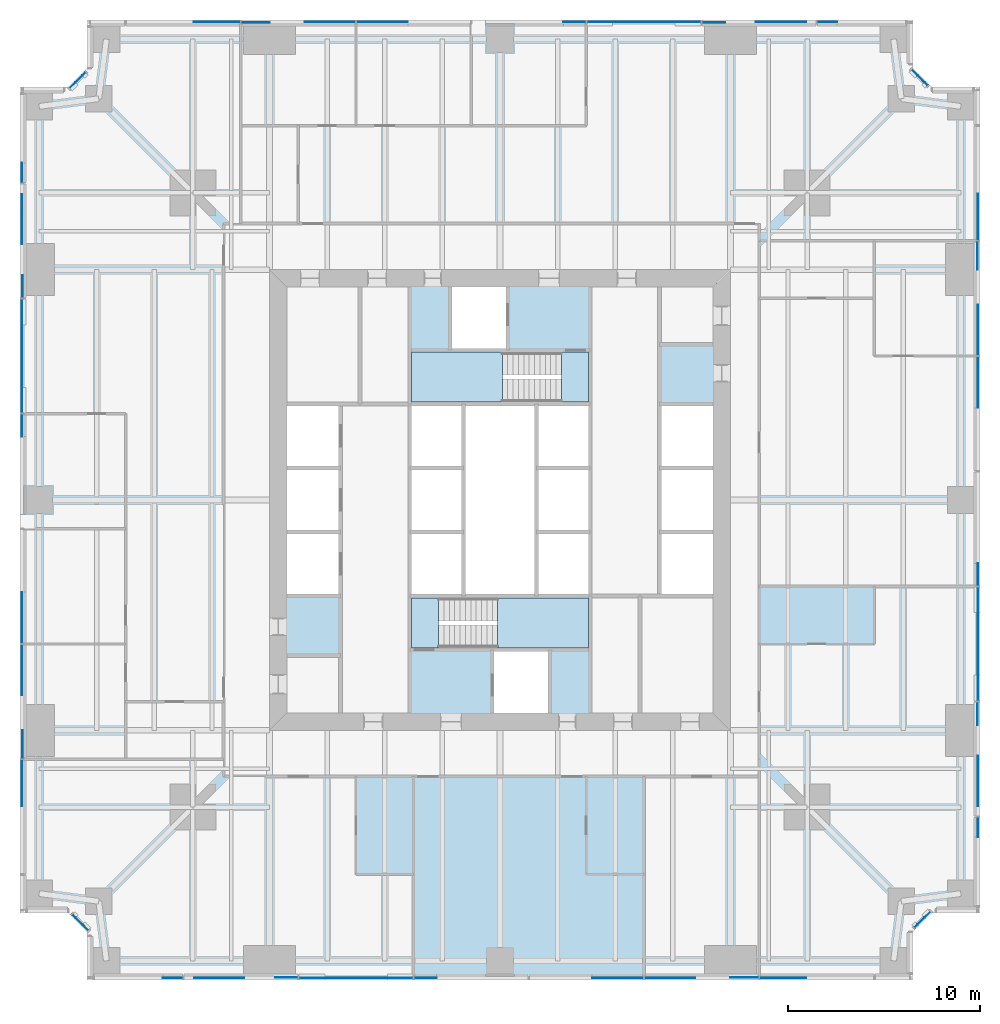
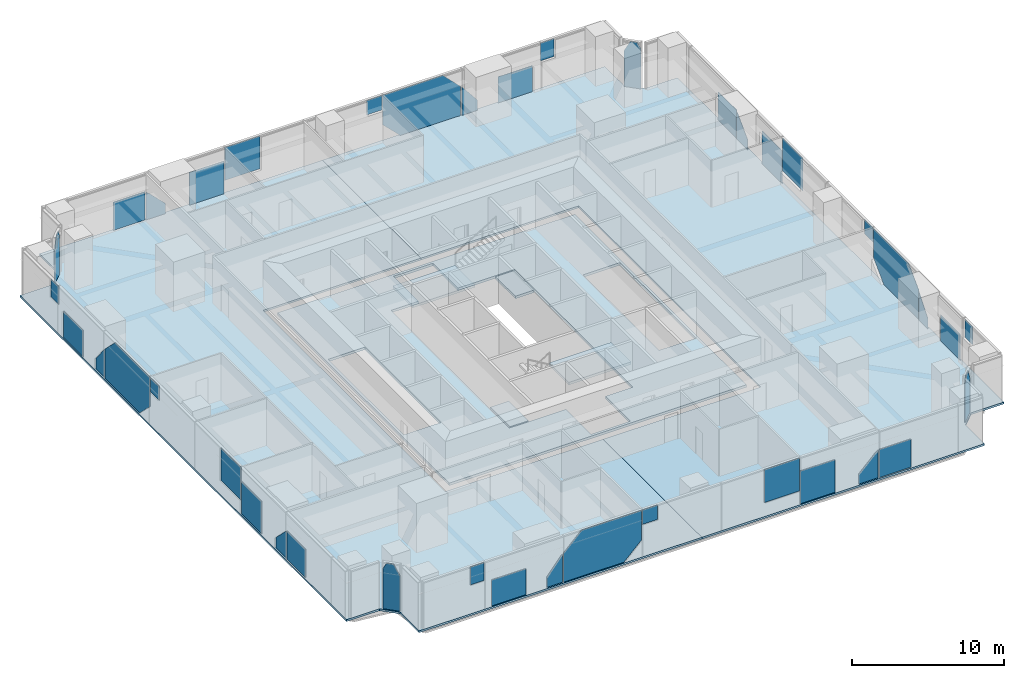
# One storey, part 8 of 14: 40 plates, 7 slabs, 10 elements without a shape of their own.
"""IFC4 building model written with IfcOpenShell, lengths in metres."""

from ifc_helpers import new_model, si_unit, direction, frame, origin, place, context, subcontext, project, spatial, polyline, outline, extrude, material, layer, layer_set, type_object, element, aggregate, save


model = new_model("IFC4")

# Units and contexts
model_context = context("Model", 3, precision=1e-05, world=origin(), true_north=direction((0.0, 1.0)))
body_context = subcontext(model_context, "Body", "Model", "MODEL_VIEW")
ifc_project = project(units=[si_unit("LENGTHUNIT", "METRE"), si_unit("AREAUNIT", "SQUARE_METRE"), si_unit("VOLUMEUNIT", "CUBIC_METRE"), si_unit("PLANEANGLEUNIT", "RADIAN"), si_unit("MASSUNIT", "GRAM", prefix="KILO")], contexts=[model_context])

# Site, building, storey
site_placement = place(None, origin())
site = spatial("IfcSite", under=ifc_project, at=site_placement, CompositionType="ELEMENT")
building_placement = place(site_placement, origin())
building = spatial("IfcBuilding", under=site, at=building_placement, Name="Fenwick Lantern Interchange", CompositionType="ELEMENT")
storey_placement = place(building_placement, frame((0.0, 0.0, 87.0)))
storey = spatial("IfcBuildingStorey", under=building, at=storey_placement, Name="L20", CompositionType="ELEMENT", Elevation=87.0)

# Slabs
ifc_material_1 = material(Name="Concrete f'c 35 MPa", Category="concrete")
ifc_layer_1 = layer(ifc_material_1, 0.199951171875)
ifc_layer_set_1 = layer_set([ifc_layer_1], Name="CORE FLOOR SLAB 200")
slab_type_1 = type_object("IfcSlabType", Name="CORE FLOOR SLAB 200", PredefinedType="FLOOR", material=ifc_layer_set_1)
slab_1_placement = place(storey_placement, frame((0.0, 0.0, -0.199951171875)))
element("IfcSlab", 1, at=slab_1_placement, inside=storey, type_object=slab_type_1, Name="L20/SLAB/CORE", PredefinedType="FLOOR", context=body_context, shape_type="SweptSolid", body=[
    extrude(outline(polyline([(13.699951171875, 36.300048828125), (36.300048828125, 36.300048828125), (36.300048828125, 13.699951171875), (13.699951171875, 13.699951171875), (13.699951171875, 36.300048828125)]), holes=[polyline([(13.89990234375, 20.0), (16.699951171875, 20.0), (16.699951171875, 23.333251953125), (16.699951171875, 26.666748046875), (16.699951171875, 30.0), (13.89990234375, 30.0), (13.89990234375, 26.666748046875), (13.89990234375, 23.333251953125), (13.89990234375, 20.0)]), polyline([(20.300048828125, 20.0), (20.300048828125, 17.199951171875), (24.60009765625, 17.199951171875), (24.60009765625, 13.89990234375), (27.60009765625, 13.89990234375), (27.60009765625, 17.199951171875), (29.699951171875, 17.199951171875), (29.699951171875, 20.0), (29.699951171875, 23.333251953125), (29.699951171875, 26.666748046875), (29.699951171875, 30.0), (29.699951171875, 32.800048828125), (25.39990234375, 32.800048828125), (25.39990234375, 36.10009765625), (22.39990234375, 36.10009765625), (22.39990234375, 32.800048828125), (20.300048828125, 32.800048828125), (20.300048828125, 30.0), (20.300048828125, 26.666748046875), (20.300048828125, 23.333251953125), (20.300048828125, 20.0)]), polyline([(33.300048828125, 23.333251953125), (33.300048828125, 20.0), (36.10009765625, 20.0), (36.10009765625, 23.333251953125), (36.10009765625, 26.666748046875), (36.10009765625, 30.0), (33.300048828125, 30.0), (33.300048828125, 26.666748046875), (33.300048828125, 23.333251953125)])]), origin(), (0.0, 0.0, 1.0), 0.199951171875),
])
ifc_material_2 = material(Name="Concrete f'c 35 MPa", Category="concrete")
ifc_layer_2 = layer(ifc_material_2, 0.14990234375)
ifc_layer_set_2 = layer_set([ifc_layer_2], Name="Concrete f'c 35 MPa")
slab_type_2 = type_object("IfcSlabType", Name="FLOOR SLAB 150", PredefinedType="FLOOR", material=ifc_layer_set_2)
slab_2_placement = place(storey_placement, frame((0.0, 0.0, -0.14990234375)))
element("IfcSlab", 2, at=slab_2_placement, inside=storey, type_object=slab_type_2, Name="L20/SLAB/FW", PredefinedType="FLOOR", context=body_context, shape_type="SweptSolid", body=[
    extrude(outline(polyline([(3.5, 0.0), (3.5, 2.5), (2.5, 3.5), (0.0, 3.5), (0.0, 46.5), (2.5, 46.5), (3.5, 47.5), (3.5, 50.0), (25.0, 50.0), (25.0, 37.0), (13.0, 37.0), (13.0, 13.0), (25.0, 13.0), (25.0, 0.0), (3.5, 0.0)])), origin(), (0.0, 0.0, 1.0), 0.14990234375),
])
slab_3_placement = place(storey_placement, frame((0.0, 0.0, -0.14990234375)))
element("IfcSlab", 3, at=slab_3_placement, inside=storey, type_object=slab_type_2, Name="L20/SLAB/FE", PredefinedType="FLOOR", context=body_context, shape_type="SweptSolid", body=[
    extrude(outline(polyline([(46.5, 50.0), (46.5, 47.5), (47.5, 46.5), (50.0, 46.5), (50.0, 3.5), (47.5, 3.5), (46.5, 2.5), (46.5, 0.0), (25.0, 0.0), (25.0, 13.0), (37.0, 13.0), (37.0, 37.0), (25.0, 37.0), (25.0, 50.0), (46.5, 50.0)])), origin(), (0.0, 0.0, 1.0), 0.14990234375),
])

# Curtain wall, plates
ifc_material_3 = material(Name="Aluminium curtain wall frame", Category="aluminium")
curtain_wall_type = type_object("IfcCurtainWallType", Name="OFFICE CURTAIN WALL", PredefinedType="USERDEFINED", material=ifc_material_3)
curtain_wall_1_placement = place(storey_placement, origin())
curtain_wall_1 = element("IfcCurtainWall", 4, at=curtain_wall_1_placement, inside=storey, type_object=curtain_wall_type, Name="Office curtain wall 01", ObjectType="OFFICE CURTAIN WALL", PredefinedType="USERDEFINED")
ifc_material_4 = material(Name="Vision glass, clear low-iron double glazed", Category="glass")
ifc_layer_3 = layer(ifc_material_4, 0.031982421875)
ifc_layer_set_3 = layer_set([ifc_layer_3], Name="OFFICE CURTAIN WALL PANEL 32")
plate_type = type_object("IfcPlateType", Name="OFFICE CURTAIN WALL PANEL 32", PredefinedType="CURTAIN_PANEL", material=ifc_layer_set_3)
plate_1_placement = place(storey_placement, frame((3.60009765625, 0.10009765625, 2.259765625), z_axis=(0.0, 0.0, 1.0), x_axis=(1.0, 0.0, 0.0)))
plate_1 = element("IfcPlate", 5, at=plate_1_placement, type_object=plate_type, Name="L20/CW/01/P00a", PredefinedType="CURTAIN_PANEL", context=body_context, shape_type="SweptSolid", body=[
    extrude(outline(polyline([(3.841796875, 0.0), (4.867431640625, 0.0), (4.867431640625, 1.440185546875), (3.841796875, 1.440185546875), (3.841796875, 0.0)])), frame((0.0, 0.01611328125, 0.0), z_axis=(0.0, -1.0, 0.0), x_axis=(1.0, 0.0, 0.0)), (0.0, 0.0, 1.0), 0.031982421875),
])
plate_2_placement = place(storey_placement, frame((3.60009765625, 0.10009765625, 0.0), z_axis=(0.0, 0.0, 1.0), x_axis=(1.0, 0.0, 0.0)))
plate_2 = element("IfcPlate", 6, at=plate_2_placement, type_object=plate_type, Name="L20/CW/01/P01a", PredefinedType="CURTAIN_PANEL", context=body_context, shape_type="SweptSolid", body=[
    extrude(outline(polyline([(5.46240234375, 0.0), (8.08251953125, 0.0), (8.08251953125, 2.098876953125), (5.46240234375, 2.098876953125), (5.46240234375, 0.0)])), frame((0.0, 0.01611328125, 0.0), z_axis=(0.0, -1.0, 0.0), x_axis=(1.0, 0.0, 0.0)), (0.0, 0.0, 1.0), 0.031982421875),
])
plate_3_placement = place(storey_placement, frame((3.60009765625, 0.10009765625, 0.0), z_axis=(0.0, 0.0, 1.0), x_axis=(1.0, 0.0, 0.0)))
plate_3 = element("IfcPlate", 7, at=plate_3_placement, type_object=plate_type, Name="L20/CW/01/P01b", PredefinedType="CURTAIN_PANEL", context=body_context, shape_type="SweptSolid", body=[
    extrude(outline(polyline([(9.68115234375, 0.0), (10.867431640625, 0.0), (10.867431640625, 2.27197265625), (10.7431640625, 2.147705078125), (9.68115234375, 0.820068359375), (9.68115234375, 0.0)])), frame((0.0, 0.0498046875, 0.0), z_axis=(0.0, -1.0, 0.0), x_axis=(1.0, 0.0, 0.0)), (0.0, 0.0, 1.0), 0.031982421875),
])
plate_4_placement = place(storey_placement, frame((3.60009765625, 0.10009765625, 0.0), z_axis=(0.0, 0.0, 1.0), x_axis=(1.0, 0.0, 0.0)))
plate_4 = element("IfcPlate", 8, at=plate_4_placement, type_object=plate_type, Name="L20/CW/01/P02a", PredefinedType="CURTAIN_PANEL", context=body_context, shape_type="SweptSolid", body=[
    extrude(outline(polyline([(10.9326171875, 0.0), (15.53125, 0.0), (16.867431640625, 1.3232421875), (16.867431640625, 3.699951171875), (12.295654296875, 3.699951171875), (10.9326171875, 2.3369140625), (10.9326171875, 0.0)])), frame((0.0, 0.01611328125, 0.0), z_axis=(0.0, -1.0, 0.0), x_axis=(1.0, 0.0, 0.0)), (0.0, 0.0, 1.0), 0.031982421875),
])
plate_5_placement = place(storey_placement, frame((3.60009765625, 0.10009765625, 2.54150390625), z_axis=(0.0, 0.0, 1.0), x_axis=(1.0, 0.0, 0.0)))
plate_5 = element("IfcPlate", 9, at=plate_5_placement, type_object=plate_type, Name="L20/CW/01/P03a", PredefinedType="CURTAIN_PANEL", context=body_context, shape_type="SweptSolid", body=[
    extrude(outline(polyline([(16.9326171875, 0.0), (18.097412109375, 0.0), (18.097412109375, 1.158447265625), (16.9326171875, 1.158447265625), (16.9326171875, 0.0)])), frame((0.0, 0.01611328125, 0.0), z_axis=(0.0, -1.0, 0.0), x_axis=(1.0, 0.0, 0.0)), (0.0, 0.0, 1.0), 0.031982421875),
])
plate_6_placement = place(storey_placement, frame((3.60009765625, 0.10009765625, 1.057373046875), z_axis=(0.0, 0.0, 1.0), x_axis=(1.0, 0.0, 0.0)))
plate_6 = element("IfcPlate", 10, at=plate_6_placement, type_object=plate_type, Name="L20/CW/01/P04a", PredefinedType="CURTAIN_PANEL", context=body_context, shape_type="SweptSolid", body=[
    extrude(outline(polyline([(26.201171875, 0.0), (28.867431640625, 0.0), (28.867431640625, 2.642578125), (26.201171875, 2.642578125), (26.201171875, 0.0)])), frame((0.0, 0.01611328125, 0.0), z_axis=(0.0, -1.0, 0.0), x_axis=(1.0, 0.0, 0.0)), (0.0, 0.0, 1.0), 0.031982421875),
])
plate_7_placement = place(storey_placement, frame((3.60009765625, 0.10009765625, 0.0), z_axis=(0.0, 0.0, 1.0), x_axis=(1.0, 0.0, 0.0)))
plate_7 = element("IfcPlate", 11, at=plate_7_placement, type_object=plate_type, Name="L20/CW/01/P05a", PredefinedType="CURTAIN_PANEL", context=body_context, shape_type="SweptSolid", body=[
    extrude(outline(polyline([(28.9326171875, 0.0), (31.5673828125, 0.0), (31.5673828125, 2.636962890625), (28.9326171875, 2.636962890625), (28.9326171875, 0.0)])), frame((0.0, 0.01611328125, 0.0), z_axis=(0.0, -1.0, 0.0), x_axis=(1.0, 0.0, 0.0)), (0.0, 0.0, 1.0), 0.031982421875),
])
plate_8_placement = place(storey_placement, frame((3.60009765625, 0.10009765625, 0.0), z_axis=(0.0, 0.0, 1.0), x_axis=(1.0, 0.0, 0.0)))
plate_8 = element("IfcPlate", 12, at=plate_8_placement, type_object=plate_type, Name="L20/CW/01/P05b", PredefinedType="CURTAIN_PANEL", context=body_context, shape_type="SweptSolid", body=[
    extrude(outline(polyline([(33.39990234375, 0.0), (34.867431640625, 0.0), (34.867431640625, 2.218994140625), (34.602294921875, 2.0068359375), (33.39990234375, 0.804443359375), (33.39990234375, 0.0)])), frame((0.0, 0.0498046875, 0.0), z_axis=(0.0, -1.0, 0.0), x_axis=(1.0, 0.0, 0.0)), (0.0, 0.0, 1.0), 0.031982421875),
])
plate_9_placement = place(storey_placement, frame((3.60009765625, 0.10009765625, 0.000732421875), z_axis=(0.0, 0.0, 1.0), x_axis=(1.0, 0.0, 0.0)))
plate_9 = element("IfcPlate", 13, at=plate_9_placement, type_object=plate_type, Name="L20/CW/01/P06a", PredefinedType="CURTAIN_PANEL", context=body_context, shape_type="SweptSolid", body=[
    extrude(outline(polyline([(34.9326171875, 0.0), (37.342529296875, 0.0), (37.342529296875, 2.270263671875), (34.9326171875, 2.270263671875), (34.9326171875, 0.0)])), frame((0.0, 0.01611328125, 0.0), z_axis=(0.0, -1.0, 0.0), x_axis=(1.0, 0.0, 0.0)), (0.0, 0.0, 1.0), 0.031982421875),
])
aggregate(curtain_wall_1, [plate_1, plate_2, plate_3, plate_4, plate_5, plate_6, plate_7, plate_8, plate_9])

# Curtain wall, plate
curtain_wall_2_placement = place(storey_placement, origin())
curtain_wall_2 = element("IfcCurtainWall", 14, at=curtain_wall_2_placement, inside=storey, type_object=curtain_wall_type, Name="Office curtain wall 03", ObjectType="OFFICE CURTAIN WALL", PredefinedType="USERDEFINED")
plate_10_placement = place(storey_placement, frame((46.39990234375, 2.54150390625, 0.0), z_axis=(0.0, 0.0, 1.0), x_axis=(0.707106781187, 0.707106781187, 0.0)))
plate_10 = element("IfcPlate", 15, at=plate_10_placement, type_object=plate_type, Name="L20/CW/03/P00a", PredefinedType="CURTAIN_PANEL", context=body_context, shape_type="SweptSolid", body=[
    extrude(outline(polyline([(0.264892578125, 0.0), (1.43212890625, 0.0), (1.43212890625, 2.83251953125), (0.993408203125, 3.699951171875), (0.503662109375, 3.699951171875), (0.264892578125, 3.22802734375), (0.264892578125, 0.0)])), frame((0.0, 0.01611328125, 0.0), z_axis=(0.0, -1.0, 0.0), x_axis=(1.0, 0.0, 0.0)), (0.0, 0.0, 1.0), 0.031982421875),
])
aggregate(curtain_wall_2, [plate_10])

# Curtain wall, plates
curtain_wall_3_placement = place(storey_placement, origin())
curtain_wall_3 = element("IfcCurtainWall", 16, at=curtain_wall_3_placement, inside=storey, type_object=curtain_wall_type, Name="Office curtain wall 05", ObjectType="OFFICE CURTAIN WALL", PredefinedType="USERDEFINED")
plate_11_placement = place(storey_placement, frame((49.89990234375, 3.60009765625, 2.259765625), z_axis=(0.0, 0.0, 1.0), x_axis=(0.0, 1.0, 0.0)))
plate_11 = element("IfcPlate", 17, at=plate_11_placement, type_object=plate_type, Name="L20/CW/05/P00a", PredefinedType="CURTAIN_PANEL", context=body_context, shape_type="SweptSolid", body=[
    extrude(outline(polyline([(3.841796875, 0.0), (4.867431640625, 0.0), (4.867431640625, 1.440185546875), (3.841796875, 1.440185546875), (3.841796875, 0.0)])), frame((0.0, 0.01611328125, 0.0), z_axis=(0.0, -1.0, 0.0), x_axis=(1.0, 0.0, 0.0)), (0.0, 0.0, 1.0), 0.031982421875),
])
plate_12_placement = place(storey_placement, frame((49.89990234375, 3.60009765625, 0.0), z_axis=(0.0, 0.0, 1.0), x_axis=(0.0, 1.0, 0.0)))
plate_12 = element("IfcPlate", 18, at=plate_12_placement, type_object=plate_type, Name="L20/CW/05/P01a", PredefinedType="CURTAIN_PANEL", context=body_context, shape_type="SweptSolid", body=[
    extrude(outline(polyline([(5.46240234375, 0.0), (8.08251953125, 0.0), (8.08251953125, 2.098876953125), (5.46240234375, 2.098876953125), (5.46240234375, 0.0)])), frame((0.0, 0.01611328125, 0.0), z_axis=(0.0, -1.0, 0.0), x_axis=(1.0, 0.0, 0.0)), (0.0, 0.0, 1.0), 0.031982421875),
])
plate_13_placement = place(storey_placement, frame((49.89990234375, 3.60009765625, 0.0), z_axis=(0.0, 0.0, 1.0), x_axis=(0.0, 1.0, 0.0)))
plate_13 = element("IfcPlate", 19, at=plate_13_placement, type_object=plate_type, Name="L20/CW/05/P01b", PredefinedType="CURTAIN_PANEL", context=body_context, shape_type="SweptSolid", body=[
    extrude(outline(polyline([(9.68115234375, 0.0), (10.867431640625, 0.0), (10.867431640625, 2.27197265625), (10.7431640625, 2.147705078125), (9.68115234375, 0.820068359375), (9.68115234375, 0.0)])), frame((0.0, 0.0498046875, 0.0), z_axis=(0.0, -1.0, 0.0), x_axis=(1.0, 0.0, 0.0)), (0.0, 0.0, 1.0), 0.031982421875),
])
plate_14_placement = place(storey_placement, frame((49.89990234375, 3.60009765625, 0.0), z_axis=(0.0, 0.0, 1.0), x_axis=(0.0, 1.0, 0.0)))
plate_14 = element("IfcPlate", 20, at=plate_14_placement, type_object=plate_type, Name="L20/CW/05/P02a", PredefinedType="CURTAIN_PANEL", context=body_context, shape_type="SweptSolid", body=[
    extrude(outline(polyline([(10.9326171875, 0.0), (15.53125, 0.0), (16.867431640625, 1.3232421875), (16.867431640625, 3.699951171875), (12.295654296875, 3.699951171875), (10.9326171875, 2.3369140625), (10.9326171875, 0.0)])), frame((0.0, 0.01611328125, 0.0), z_axis=(0.0, -1.0, 0.0), x_axis=(1.0, 0.0, 0.0)), (0.0, 0.0, 1.0), 0.031982421875),
])
plate_15_placement = place(storey_placement, frame((49.89990234375, 3.60009765625, 2.54150390625), z_axis=(0.0, 0.0, 1.0), x_axis=(0.0, 1.0, 0.0)))
plate_15 = element("IfcPlate", 21, at=plate_15_placement, type_object=plate_type, Name="L20/CW/05/P03a", PredefinedType="CURTAIN_PANEL", context=body_context, shape_type="SweptSolid", body=[
    extrude(outline(polyline([(16.9326171875, 0.0), (18.097412109375, 0.0), (18.097412109375, 1.158447265625), (16.9326171875, 1.158447265625), (16.9326171875, 0.0)])), frame((0.0, 0.01611328125, 0.0), z_axis=(0.0, -1.0, 0.0), x_axis=(1.0, 0.0, 0.0)), (0.0, 0.0, 1.0), 0.031982421875),
])
plate_16_placement = place(storey_placement, frame((49.89990234375, 3.60009765625, 1.057373046875), z_axis=(0.0, 0.0, 1.0), x_axis=(0.0, 1.0, 0.0)))
plate_16 = element("IfcPlate", 22, at=plate_16_placement, type_object=plate_type, Name="L20/CW/05/P04a", PredefinedType="CURTAIN_PANEL", context=body_context, shape_type="SweptSolid", body=[
    extrude(outline(polyline([(26.201171875, 0.0), (28.867431640625, 0.0), (28.867431640625, 2.642578125), (26.201171875, 2.642578125), (26.201171875, 0.0)])), frame((0.0, 0.01611328125, 0.0), z_axis=(0.0, -1.0, 0.0), x_axis=(1.0, 0.0, 0.0)), (0.0, 0.0, 1.0), 0.031982421875),
])
plate_17_placement = place(storey_placement, frame((49.89990234375, 3.60009765625, 0.0), z_axis=(0.0, 0.0, 1.0), x_axis=(0.0, 1.0, 0.0)))
plate_17 = element("IfcPlate", 23, at=plate_17_placement, type_object=plate_type, Name="L20/CW/05/P05a", PredefinedType="CURTAIN_PANEL", context=body_context, shape_type="SweptSolid", body=[
    extrude(outline(polyline([(28.9326171875, 0.0), (31.5673828125, 0.0), (31.5673828125, 2.636962890625), (28.9326171875, 2.636962890625), (28.9326171875, 0.0)])), frame((0.0, 0.01611328125, 0.0), z_axis=(0.0, -1.0, 0.0), x_axis=(1.0, 0.0, 0.0)), (0.0, 0.0, 1.0), 0.031982421875),
])
plate_18_placement = place(storey_placement, frame((49.89990234375, 3.60009765625, 0.0), z_axis=(0.0, 0.0, 1.0), x_axis=(0.0, 1.0, 0.0)))
plate_18 = element("IfcPlate", 24, at=plate_18_placement, type_object=plate_type, Name="L20/CW/05/P05b", PredefinedType="CURTAIN_PANEL", context=body_context, shape_type="SweptSolid", body=[
    extrude(outline(polyline([(33.39990234375, 0.0), (34.867431640625, 0.0), (34.867431640625, 2.218994140625), (34.602294921875, 2.0068359375), (33.39990234375, 0.804443359375), (33.39990234375, 0.0)])), frame((0.0, 0.0498046875, 0.0), z_axis=(0.0, -1.0, 0.0), x_axis=(1.0, 0.0, 0.0)), (0.0, 0.0, 1.0), 0.031982421875),
])
plate_19_placement = place(storey_placement, frame((49.89990234375, 3.60009765625, 0.000732421875), z_axis=(0.0, 0.0, 1.0), x_axis=(0.0, 1.0, 0.0)))
plate_19 = element("IfcPlate", 25, at=plate_19_placement, type_object=plate_type, Name="L20/CW/05/P06a", PredefinedType="CURTAIN_PANEL", context=body_context, shape_type="SweptSolid", body=[
    extrude(outline(polyline([(34.9326171875, 0.0), (37.342529296875, 0.0), (37.342529296875, 2.270263671875), (34.9326171875, 2.270263671875), (34.9326171875, 0.0)])), frame((0.0, 0.01611328125, 0.0), z_axis=(0.0, -1.0, 0.0), x_axis=(1.0, 0.0, 0.0)), (0.0, 0.0, 1.0), 0.031982421875),
])
aggregate(curtain_wall_3, [plate_11, plate_12, plate_13, plate_14, plate_15, plate_16, plate_17, plate_18, plate_19])

# Curtain wall, plate
curtain_wall_4_placement = place(storey_placement, origin())
curtain_wall_4 = element("IfcCurtainWall", 26, at=curtain_wall_4_placement, inside=storey, type_object=curtain_wall_type, Name="Office curtain wall 07", ObjectType="OFFICE CURTAIN WALL", PredefinedType="USERDEFINED")
plate_20_placement = place(storey_placement, frame((47.45849609375, 46.39990234375, 0.0), z_axis=(0.0, 0.0, 1.0), x_axis=(-0.707106781187, 0.707106781187, 0.0)))
plate_20 = element("IfcPlate", 27, at=plate_20_placement, type_object=plate_type, Name="L20/CW/07/P00a", PredefinedType="CURTAIN_PANEL", context=body_context, shape_type="SweptSolid", body=[
    extrude(outline(polyline([(0.264892578125, 0.0), (1.43212890625, 0.0), (1.43212890625, 2.83251953125), (0.993408203125, 3.699951171875), (0.503662109375, 3.699951171875), (0.264892578125, 3.22802734375), (0.264892578125, 0.0)])), frame((0.0, 0.01611328125, 0.0), z_axis=(0.0, -1.0, 0.0), x_axis=(1.0, 0.0, 0.0)), (0.0, 0.0, 1.0), 0.031982421875),
])
aggregate(curtain_wall_4, [plate_20])

# Curtain wall, plates
curtain_wall_5_placement = place(storey_placement, origin())
curtain_wall_5 = element("IfcCurtainWall", 28, at=curtain_wall_5_placement, inside=storey, type_object=curtain_wall_type, Name="Office curtain wall 09", ObjectType="OFFICE CURTAIN WALL", PredefinedType="USERDEFINED")
plate_21_placement = place(storey_placement, frame((46.39990234375, 49.89990234375, 2.259765625), z_axis=(0.0, 0.0, 1.0), x_axis=(-1.0, 0.0, 0.0)))
plate_21 = element("IfcPlate", 29, at=plate_21_placement, type_object=plate_type, Name="L20/CW/09/P00a", PredefinedType="CURTAIN_PANEL", context=body_context, shape_type="SweptSolid", body=[
    extrude(outline(polyline([(3.841796875, 0.0), (4.867431640625, 0.0), (4.867431640625, 1.440185546875), (3.841796875, 1.440185546875), (3.841796875, 0.0)])), frame((0.0, 0.01611328125, 0.0), z_axis=(0.0, -1.0, 0.0), x_axis=(1.0, 0.0, 0.0)), (0.0, 0.0, 1.0), 0.031982421875),
])
plate_22_placement = place(storey_placement, frame((46.39990234375, 49.89990234375, 0.0), z_axis=(0.0, 0.0, 1.0), x_axis=(-1.0, 0.0, 0.0)))
plate_22 = element("IfcPlate", 30, at=plate_22_placement, type_object=plate_type, Name="L20/CW/09/P01a", PredefinedType="CURTAIN_PANEL", context=body_context, shape_type="SweptSolid", body=[
    extrude(outline(polyline([(5.46240234375, 0.0), (8.08251953125, 0.0), (8.08251953125, 2.098876953125), (5.46240234375, 2.098876953125), (5.46240234375, 0.0)])), frame((0.0, 0.01611328125, 0.0), z_axis=(0.0, -1.0, 0.0), x_axis=(1.0, 0.0, 0.0)), (0.0, 0.0, 1.0), 0.031982421875),
])
plate_23_placement = place(storey_placement, frame((46.39990234375, 49.89990234375, 0.0), z_axis=(0.0, 0.0, 1.0), x_axis=(-1.0, 0.0, 0.0)))
plate_23 = element("IfcPlate", 31, at=plate_23_placement, type_object=plate_type, Name="L20/CW/09/P01b", PredefinedType="CURTAIN_PANEL", context=body_context, shape_type="SweptSolid", body=[
    extrude(outline(polyline([(9.68115234375, 0.0), (10.867431640625, 0.0), (10.867431640625, 2.27197265625), (10.7431640625, 2.147705078125), (9.68115234375, 0.820068359375), (9.68115234375, 0.0)])), frame((0.0, 0.0498046875, 0.0), z_axis=(0.0, -1.0, 0.0), x_axis=(1.0, 0.0, 0.0)), (0.0, 0.0, 1.0), 0.031982421875),
])
plate_24_placement = place(storey_placement, frame((46.39990234375, 49.89990234375, 0.0), z_axis=(0.0, 0.0, 1.0), x_axis=(-1.0, 0.0, 0.0)))
plate_24 = element("IfcPlate", 32, at=plate_24_placement, type_object=plate_type, Name="L20/CW/09/P02a", PredefinedType="CURTAIN_PANEL", context=body_context, shape_type="SweptSolid", body=[
    extrude(outline(polyline([(10.9326171875, 0.0), (15.53125, 0.0), (16.867431640625, 1.3232421875), (16.867431640625, 3.699951171875), (12.295654296875, 3.699951171875), (10.9326171875, 2.3369140625), (10.9326171875, 0.0)])), frame((0.0, 0.01611328125, 0.0), z_axis=(0.0, -1.0, 0.0), x_axis=(1.0, 0.0, 0.0)), (0.0, 0.0, 1.0), 0.031982421875),
])
plate_25_placement = place(storey_placement, frame((46.39990234375, 49.89990234375, 2.54150390625), z_axis=(0.0, 0.0, 1.0), x_axis=(-1.0, 0.0, 0.0)))
plate_25 = element("IfcPlate", 33, at=plate_25_placement, type_object=plate_type, Name="L20/CW/09/P03a", PredefinedType="CURTAIN_PANEL", context=body_context, shape_type="SweptSolid", body=[
    extrude(outline(polyline([(16.9326171875, 0.0), (18.097412109375, 0.0), (18.097412109375, 1.158447265625), (16.9326171875, 1.158447265625), (16.9326171875, 0.0)])), frame((0.0, 0.01611328125, 0.0), z_axis=(0.0, -1.0, 0.0), x_axis=(1.0, 0.0, 0.0)), (0.0, 0.0, 1.0), 0.031982421875),
])
plate_26_placement = place(storey_placement, frame((46.39990234375, 49.89990234375, 1.057373046875), z_axis=(0.0, 0.0, 1.0), x_axis=(-1.0, 0.0, 0.0)))
plate_26 = element("IfcPlate", 34, at=plate_26_placement, type_object=plate_type, Name="L20/CW/09/P04a", PredefinedType="CURTAIN_PANEL", context=body_context, shape_type="SweptSolid", body=[
    extrude(outline(polyline([(26.201171875, 0.0), (28.867431640625, 0.0), (28.867431640625, 2.642578125), (26.201171875, 2.642578125), (26.201171875, 0.0)])), frame((0.0, 0.01611328125, 0.0), z_axis=(0.0, -1.0, 0.0), x_axis=(1.0, 0.0, 0.0)), (0.0, 0.0, 1.0), 0.031982421875),
])
plate_27_placement = place(storey_placement, frame((46.39990234375, 49.89990234375, 0.0), z_axis=(0.0, 0.0, 1.0), x_axis=(-1.0, 0.0, 0.0)))
plate_27 = element("IfcPlate", 35, at=plate_27_placement, type_object=plate_type, Name="L20/CW/09/P05a", PredefinedType="CURTAIN_PANEL", context=body_context, shape_type="SweptSolid", body=[
    extrude(outline(polyline([(28.9326171875, 0.0), (31.5673828125, 0.0), (31.5673828125, 2.636962890625), (28.9326171875, 2.636962890625), (28.9326171875, 0.0)])), frame((0.0, 0.01611328125, 0.0), z_axis=(0.0, -1.0, 0.0), x_axis=(1.0, 0.0, 0.0)), (0.0, 0.0, 1.0), 0.031982421875),
])
plate_28_placement = place(storey_placement, frame((46.39990234375, 49.89990234375, 0.0), z_axis=(0.0, 0.0, 1.0), x_axis=(-1.0, 0.0, 0.0)))
plate_28 = element("IfcPlate", 36, at=plate_28_placement, type_object=plate_type, Name="L20/CW/09/P05b", PredefinedType="CURTAIN_PANEL", context=body_context, shape_type="SweptSolid", body=[
    extrude(outline(polyline([(33.39990234375, 0.0), (34.867431640625, 0.0), (34.867431640625, 2.218994140625), (34.602294921875, 2.0068359375), (33.39990234375, 0.804443359375), (33.39990234375, 0.0)])), frame((0.0, 0.0498046875, 0.0), z_axis=(0.0, -1.0, 0.0), x_axis=(1.0, 0.0, 0.0)), (0.0, 0.0, 1.0), 0.031982421875),
])
plate_29_placement = place(storey_placement, frame((46.39990234375, 49.89990234375, 0.000732421875), z_axis=(0.0, 0.0, 1.0), x_axis=(-1.0, 0.0, 0.0)))
plate_29 = element("IfcPlate", 37, at=plate_29_placement, type_object=plate_type, Name="L20/CW/09/P06a", PredefinedType="CURTAIN_PANEL", context=body_context, shape_type="SweptSolid", body=[
    extrude(outline(polyline([(34.9326171875, 0.0), (37.342529296875, 0.0), (37.342529296875, 2.270263671875), (34.9326171875, 2.270263671875), (34.9326171875, 0.0)])), frame((0.0, 0.01611328125, 0.0), z_axis=(0.0, -1.0, 0.0), x_axis=(1.0, 0.0, 0.0)), (0.0, 0.0, 1.0), 0.031982421875),
])
aggregate(curtain_wall_5, [plate_21, plate_22, plate_23, plate_24, plate_25, plate_26, plate_27, plate_28, plate_29])

# Curtain wall, plate
curtain_wall_6_placement = place(storey_placement, origin())
curtain_wall_6 = element("IfcCurtainWall", 38, at=curtain_wall_6_placement, inside=storey, type_object=curtain_wall_type, Name="Office curtain wall 11", ObjectType="OFFICE CURTAIN WALL", PredefinedType="USERDEFINED")
plate_30_placement = place(storey_placement, frame((3.60009765625, 47.45849609375, 0.0), z_axis=(0.0, 0.0, 1.0), x_axis=(-0.707106781187, -0.707106781187, 0.0)))
plate_30 = element("IfcPlate", 39, at=plate_30_placement, type_object=plate_type, Name="L20/CW/11/P00a", PredefinedType="CURTAIN_PANEL", context=body_context, shape_type="SweptSolid", body=[
    extrude(outline(polyline([(0.264892578125, 0.0), (1.43212890625, 0.0), (1.43212890625, 2.83251953125), (0.993408203125, 3.699951171875), (0.503662109375, 3.699951171875), (0.264892578125, 3.22802734375), (0.264892578125, 0.0)])), frame((0.0, 0.01611328125, 0.0), z_axis=(0.0, -1.0, 0.0), x_axis=(1.0, 0.0, 0.0)), (0.0, 0.0, 1.0), 0.031982421875),
])
aggregate(curtain_wall_6, [plate_30])

# Curtain wall, plates
curtain_wall_7_placement = place(storey_placement, origin())
curtain_wall_7 = element("IfcCurtainWall", 40, at=curtain_wall_7_placement, inside=storey, type_object=curtain_wall_type, Name="Office curtain wall 13", ObjectType="OFFICE CURTAIN WALL", PredefinedType="USERDEFINED")
plate_31_placement = place(storey_placement, frame((0.10009765625, 46.39990234375, 2.259765625), z_axis=(0.0, 0.0, 1.0), x_axis=(0.0, -1.0, 0.0)))
plate_31 = element("IfcPlate", 41, at=plate_31_placement, type_object=plate_type, Name="L20/CW/13/P00a", PredefinedType="CURTAIN_PANEL", context=body_context, shape_type="SweptSolid", body=[
    extrude(outline(polyline([(3.841796875, 0.0), (4.867431640625, 0.0), (4.867431640625, 1.440185546875), (3.841796875, 1.440185546875), (3.841796875, 0.0)])), frame((0.0, 0.01611328125, 0.0), z_axis=(0.0, -1.0, 0.0), x_axis=(1.0, 0.0, 0.0)), (0.0, 0.0, 1.0), 0.031982421875),
])
plate_32_placement = place(storey_placement, frame((0.10009765625, 46.39990234375, 0.0), z_axis=(0.0, 0.0, 1.0), x_axis=(0.0, -1.0, 0.0)))
plate_32 = element("IfcPlate", 42, at=plate_32_placement, type_object=plate_type, Name="L20/CW/13/P01a", PredefinedType="CURTAIN_PANEL", context=body_context, shape_type="SweptSolid", body=[
    extrude(outline(polyline([(5.46240234375, 0.0), (8.08251953125, 0.0), (8.08251953125, 2.098876953125), (5.46240234375, 2.098876953125), (5.46240234375, 0.0)])), frame((0.0, 0.01611328125, 0.0), z_axis=(0.0, -1.0, 0.0), x_axis=(1.0, 0.0, 0.0)), (0.0, 0.0, 1.0), 0.031982421875),
])
plate_33_placement = place(storey_placement, frame((0.10009765625, 46.39990234375, 0.0), z_axis=(0.0, 0.0, 1.0), x_axis=(0.0, -1.0, 0.0)))
plate_33 = element("IfcPlate", 43, at=plate_33_placement, type_object=plate_type, Name="L20/CW/13/P01b", PredefinedType="CURTAIN_PANEL", context=body_context, shape_type="SweptSolid", body=[
    extrude(outline(polyline([(9.68115234375, 0.0), (10.867431640625, 0.0), (10.867431640625, 2.27197265625), (10.7431640625, 2.147705078125), (9.68115234375, 0.820068359375), (9.68115234375, 0.0)])), frame((0.0, 0.0498046875, 0.0), z_axis=(0.0, -1.0, 0.0), x_axis=(1.0, 0.0, 0.0)), (0.0, 0.0, 1.0), 0.031982421875),
])
plate_34_placement = place(storey_placement, frame((0.10009765625, 46.39990234375, 0.0), z_axis=(0.0, 0.0, 1.0), x_axis=(0.0, -1.0, 0.0)))
plate_34 = element("IfcPlate", 44, at=plate_34_placement, type_object=plate_type, Name="L20/CW/13/P02a", PredefinedType="CURTAIN_PANEL", context=body_context, shape_type="SweptSolid", body=[
    extrude(outline(polyline([(10.9326171875, 0.0), (15.53125, 0.0), (16.867431640625, 1.3232421875), (16.867431640625, 3.699951171875), (12.295654296875, 3.699951171875), (10.9326171875, 2.3369140625), (10.9326171875, 0.0)])), frame((0.0, 0.01611328125, 0.0), z_axis=(0.0, -1.0, 0.0), x_axis=(1.0, 0.0, 0.0)), (0.0, 0.0, 1.0), 0.031982421875),
])
plate_35_placement = place(storey_placement, frame((0.10009765625, 46.39990234375, 2.54150390625), z_axis=(0.0, 0.0, 1.0), x_axis=(0.0, -1.0, 0.0)))
plate_35 = element("IfcPlate", 45, at=plate_35_placement, type_object=plate_type, Name="L20/CW/13/P03a", PredefinedType="CURTAIN_PANEL", context=body_context, shape_type="SweptSolid", body=[
    extrude(outline(polyline([(16.9326171875, 0.0), (18.097412109375, 0.0), (18.097412109375, 1.158447265625), (16.9326171875, 1.158447265625), (16.9326171875, 0.0)])), frame((0.0, 0.01611328125, 0.0), z_axis=(0.0, -1.0, 0.0), x_axis=(1.0, 0.0, 0.0)), (0.0, 0.0, 1.0), 0.031982421875),
])
plate_36_placement = place(storey_placement, frame((0.10009765625, 46.39990234375, 1.057373046875), z_axis=(0.0, 0.0, 1.0), x_axis=(0.0, -1.0, 0.0)))
plate_36 = element("IfcPlate", 46, at=plate_36_placement, type_object=plate_type, Name="L20/CW/13/P04a", PredefinedType="CURTAIN_PANEL", context=body_context, shape_type="SweptSolid", body=[
    extrude(outline(polyline([(26.201171875, 0.0), (28.867431640625, 0.0), (28.867431640625, 2.642578125), (26.201171875, 2.642578125), (26.201171875, 0.0)])), frame((0.0, 0.01611328125, 0.0), z_axis=(0.0, -1.0, 0.0), x_axis=(1.0, 0.0, 0.0)), (0.0, 0.0, 1.0), 0.031982421875),
])
plate_37_placement = place(storey_placement, frame((0.10009765625, 46.39990234375, 0.0), z_axis=(0.0, 0.0, 1.0), x_axis=(0.0, -1.0, 0.0)))
plate_37 = element("IfcPlate", 47, at=plate_37_placement, type_object=plate_type, Name="L20/CW/13/P05a", PredefinedType="CURTAIN_PANEL", context=body_context, shape_type="SweptSolid", body=[
    extrude(outline(polyline([(28.9326171875, 0.0), (31.5673828125, 0.0), (31.5673828125, 2.636962890625), (28.9326171875, 2.636962890625), (28.9326171875, 0.0)])), frame((0.0, 0.01611328125, 0.0), z_axis=(0.0, -1.0, 0.0), x_axis=(1.0, 0.0, 0.0)), (0.0, 0.0, 1.0), 0.031982421875),
])
plate_38_placement = place(storey_placement, frame((0.10009765625, 46.39990234375, 0.0), z_axis=(0.0, 0.0, 1.0), x_axis=(0.0, -1.0, 0.0)))
plate_38 = element("IfcPlate", 48, at=plate_38_placement, type_object=plate_type, Name="L20/CW/13/P05b", PredefinedType="CURTAIN_PANEL", context=body_context, shape_type="SweptSolid", body=[
    extrude(outline(polyline([(33.39990234375, 0.0), (34.867431640625, 0.0), (34.867431640625, 2.218994140625), (34.602294921875, 2.0068359375), (33.39990234375, 0.804443359375), (33.39990234375, 0.0)])), frame((0.0, 0.0498046875, 0.0), z_axis=(0.0, -1.0, 0.0), x_axis=(1.0, 0.0, 0.0)), (0.0, 0.0, 1.0), 0.031982421875),
])
plate_39_placement = place(storey_placement, frame((0.10009765625, 46.39990234375, 0.000732421875), z_axis=(0.0, 0.0, 1.0), x_axis=(0.0, -1.0, 0.0)))
plate_39 = element("IfcPlate", 49, at=plate_39_placement, type_object=plate_type, Name="L20/CW/13/P06a", PredefinedType="CURTAIN_PANEL", context=body_context, shape_type="SweptSolid", body=[
    extrude(outline(polyline([(34.9326171875, 0.0), (37.342529296875, 0.0), (37.342529296875, 2.270263671875), (34.9326171875, 2.270263671875), (34.9326171875, 0.0)])), frame((0.0, 0.01611328125, 0.0), z_axis=(0.0, -1.0, 0.0), x_axis=(1.0, 0.0, 0.0)), (0.0, 0.0, 1.0), 0.031982421875),
])
aggregate(curtain_wall_7, [plate_31, plate_32, plate_33, plate_34, plate_35, plate_36, plate_37, plate_38, plate_39])

# Curtain wall, plate
curtain_wall_8_placement = place(storey_placement, origin())
curtain_wall_8 = element("IfcCurtainWall", 50, at=curtain_wall_8_placement, inside=storey, type_object=curtain_wall_type, Name="Office curtain wall 15", ObjectType="OFFICE CURTAIN WALL", PredefinedType="USERDEFINED")
plate_40_placement = place(storey_placement, frame((2.54150390625, 3.60009765625, 0.0), z_axis=(0.0, 0.0, 1.0), x_axis=(0.707106781187, -0.707106781187, 0.0)))
plate_40 = element("IfcPlate", 51, at=plate_40_placement, type_object=plate_type, Name="L20/CW/15/P00a", PredefinedType="CURTAIN_PANEL", context=body_context, shape_type="SweptSolid", body=[
    extrude(outline(polyline([(0.264892578125, 0.0), (1.43212890625, 0.0), (1.43212890625, 2.83251953125), (0.993408203125, 3.699951171875), (0.503662109375, 3.699951171875), (0.264892578125, 3.22802734375), (0.264892578125, 0.0)])), frame((0.0, 0.01611328125, 0.0), z_axis=(0.0, -1.0, 0.0), x_axis=(1.0, 0.0, 0.0)), (0.0, 0.0, 1.0), 0.031982421875),
])
aggregate(curtain_wall_8, [plate_40])

# Stair, slabs
ifc_material_5 = material(Name="Precast concrete f'c 35 MPa", Category="concrete")
stair_type = type_object("IfcStairType", Name="EXIT STAIR 1200", PredefinedType="HALF_TURN_STAIR", material=ifc_material_5)
stair_1_placement = place(storey_placement, origin())
stair_1 = element("IfcStair", 52, at=stair_1_placement, inside=storey, type_object=stair_type, Name="Exit stair ST1", PredefinedType="HALF_TURN_STAIR")
ifc_layer_4 = layer(ifc_material_1, 0.199951171875)
ifc_layer_set_4 = layer_set([ifc_layer_4], Name="STAIR LANDING 200")
slab_type_3 = type_object("IfcSlabType", Name="STAIR LANDING 200", PredefinedType="LANDING", material=ifc_layer_set_4)
slab_4_placement = place(storey_placement, frame((0.0, 0.0, 1.800048828125)))
slab_4 = element("IfcSlab", 53, at=slab_4_placement, type_object=slab_type_3, Name="ST1 landing 1", PredefinedType="LANDING", context=body_context, shape_type="SweptSolid", body=[
    extrude(outline(polyline([(24.8798828125, 17.300048828125), (29.60009765625, 17.300048828125), (29.60009765625, 19.89990234375), (24.8798828125, 19.89990234375), (24.8798828125, 17.300048828125)])), origin(), (0.0, 0.0, 1.0), 0.199951171875),
])
slab_5_placement = place(storey_placement, frame((0.0, 0.0, -0.199951171875)))
slab_5 = element("IfcSlab", 54, at=slab_5_placement, type_object=slab_type_3, Name="ST1 landing 2", PredefinedType="LANDING", context=body_context, shape_type="SweptSolid", body=[
    extrude(outline(polyline([(20.39990234375, 17.300048828125), (21.800048828125, 17.300048828125), (21.800048828125, 19.89990234375), (20.39990234375, 19.89990234375), (20.39990234375, 17.300048828125)])), origin(), (0.0, 0.0, 1.0), 0.199951171875),
])
aggregate(stair_1, [slab_4, slab_5])

stair_2_placement = place(storey_placement, origin())
stair_2 = element("IfcStair", 55, at=stair_2_placement, inside=storey, type_object=stair_type, Name="Exit stair ST2", PredefinedType="HALF_TURN_STAIR")
slab_6_placement = place(storey_placement, frame((0.0, 0.0, 1.800048828125)))
slab_6 = element("IfcSlab", 56, at=slab_6_placement, type_object=slab_type_3, Name="ST2 landing 1", PredefinedType="LANDING", context=body_context, shape_type="SweptSolid", body=[
    extrude(outline(polyline([(25.1201171875, 32.699951171875), (20.39990234375, 32.699951171875), (20.39990234375, 30.10009765625), (25.1201171875, 30.10009765625), (25.1201171875, 32.699951171875)])), origin(), (0.0, 0.0, 1.0), 0.199951171875),
])
slab_7_placement = place(storey_placement, frame((0.0, 0.0, -0.199951171875)))
slab_7 = element("IfcSlab", 57, at=slab_7_placement, type_object=slab_type_3, Name="ST2 landing 2", PredefinedType="LANDING", context=body_context, shape_type="SweptSolid", body=[
    extrude(outline(polyline([(29.60009765625, 32.699951171875), (28.199951171875, 32.699951171875), (28.199951171875, 30.10009765625), (29.60009765625, 30.10009765625), (29.60009765625, 32.699951171875)])), origin(), (0.0, 0.0, 1.0), 0.199951171875),
])
aggregate(stair_2, [slab_6, slab_7])

save(model, "model.ifc")
